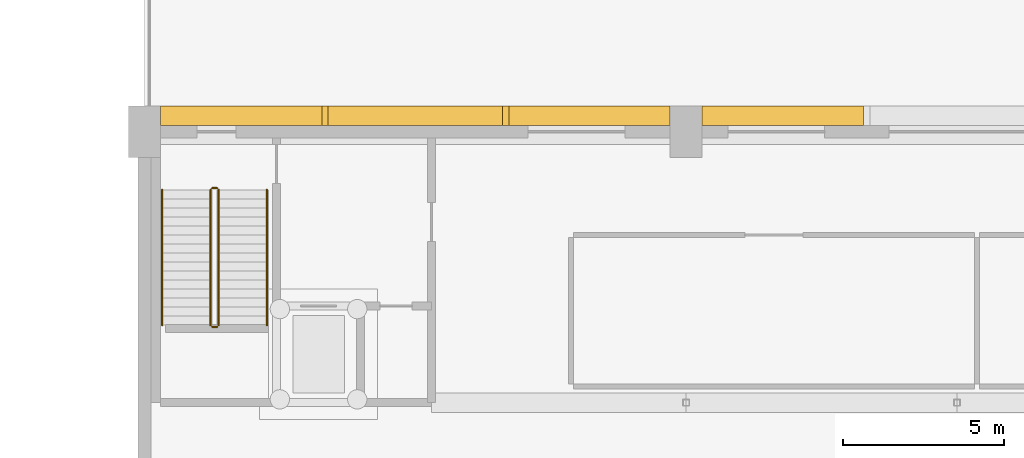
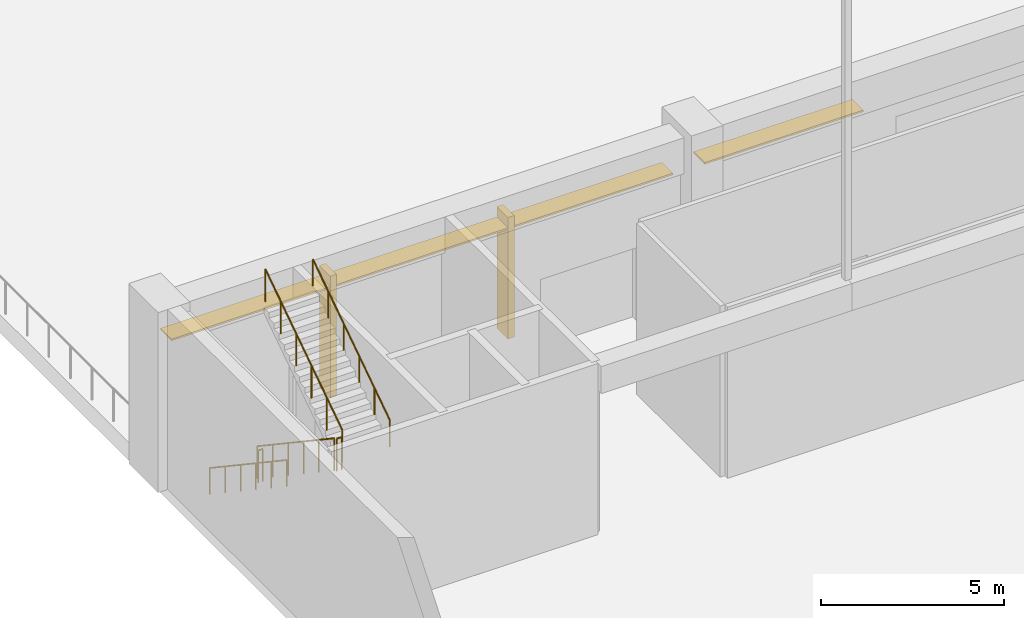
# One storey, part 198 of 210: 6 railings, 4 shading devices, 2 coverings.
"""IFC4 building model written with IfcOpenShell, lengths in metres."""

import ifcopenshell
import ifcopenshell.guid

model = None  # the IFC model being written
_history = None  # IfcOwnerHistory: only IFC2X3 demands one
_inside = {}  # id of a spatial element -> (the spatial element, [elements in it])
_under = {}  # id of a project, library or spatial element -> (it, [spatial elements below it])
_declared = {}  # id of a project -> (the project, [libraries it declares])
_typed = {}  # id of a type object -> (the type object, [elements of that type])
_made_of = {}  # id of a material, layer set ... -> (it, [elements and type objects made of it])


def new_model(schema):
    """Start an empty IFC model of exactly this schema.

    Asked for "IFC4X3", IfcOpenShell would pick the latest addendum, in which some entities
    have other attributes; the version numbers below select the first issue.
    IFC2X3 requires an IfcOwnerHistory on every rooted entity: one is made here for all.
    """
    global model, _history
    if schema == "IFC4X3":
        model = ifcopenshell.file(schema_version=(4, 3, 0, 0))
    else:
        model = ifcopenshell.file(schema=schema)
    _inside.clear()
    _under.clear()
    _declared.clear()
    _typed.clear()
    _made_of.clear()
    _history = None
    if model.schema == "IFC2X3":
        org = make("IfcOrganization", Name="unknown")
        user = make(
            "IfcPersonAndOrganization",
            ThePerson=make("IfcPerson", FamilyName="unknown"),
            TheOrganization=org,
        )
        app = make(
            "IfcApplication",
            ApplicationDeveloper=org,
            Version="unknown",
            ApplicationFullName="unknown",
            ApplicationIdentifier="unknown",
        )
        _history = make(
            "IfcOwnerHistory",
            OwningUser=user,
            OwningApplication=app,
            ChangeAction="ADDED",
            CreationDate=0,
        )
    return model


def make(cls, **values):
    """One entity of the class cls with the attributes given. An attribute that is None is left unset."""
    return model.create_entity(
        cls, **{name: value for name, value in values.items() if value is not None}
    )


def rooted(cls, **values):
    """An entity with a GlobalId (a new one), such as an element, a storey or a relation."""
    return make(cls, GlobalId=ifcopenshell.guid.new(), OwnerHistory=_history, **values)


def si_unit(unit_type, name, prefix=None):
    """IfcSIUnit, for example si_unit("LENGTHUNIT", "METRE", prefix="MILLI")."""
    return make("IfcSIUnit", UnitType=unit_type, Prefix=prefix, Name=name)


def assignment(units):
    """IfcUnitAssignment: the units of a project."""
    return None if units is None else make("IfcUnitAssignment", Units=units)


def point(xyz):
    """IfcCartesianPoint."""
    return None if xyz is None else make("IfcCartesianPoint", Coordinates=xyz)


def direction(xyz):
    """IfcDirection."""
    return None if xyz is None else make("IfcDirection", DirectionRatios=xyz)


def frame(location, z_axis=None, x_axis=None):
    """IfcAxis2Placement3D, a coordinate frame: its origin and axes. An axis left out is left unset."""
    return make(
        "IfcAxis2Placement3D",
        Location=point(location),
        Axis=direction(z_axis),
        RefDirection=direction(x_axis),
    )


def frame_2d(location, x_axis=None):
    """IfcAxis2Placement2D, a coordinate frame in the plane: its origin and x axis."""
    return make(
        "IfcAxis2Placement2D", Location=point(location), RefDirection=direction(x_axis)
    )


def origin():
    """The frame at (0, 0, 0) with its axes left unset."""
    return frame((0.0, 0.0, 0.0))


def origin_2d():
    """The frame at (0, 0) in the plane with its x axis left unset."""
    return frame_2d((0.0, 0.0))


def place(relative_to, where):
    """IfcLocalPlacement: puts the frame where relative to a parent placement (None: the world)."""
    return make(
        "IfcLocalPlacement", PlacementRelTo=relative_to, RelativePlacement=where
    )


def context(
    kind, dimensions, precision=None, world=None, true_north=None, identifier=None
):
    """IfcGeometricRepresentationContext, for example the 3D "Model" context."""
    return make(
        "IfcGeometricRepresentationContext",
        ContextIdentifier=identifier,
        ContextType=kind,
        CoordinateSpaceDimension=dimensions,
        Precision=precision,
        WorldCoordinateSystem=world,
        TrueNorth=true_north,
    )


def subcontext(parent, identifier, kind, view, scale=None):
    """IfcGeometricRepresentationSubContext, for example "Body" below "Model"."""
    return make(
        "IfcGeometricRepresentationSubContext",
        ContextIdentifier=identifier,
        ContextType=kind,
        ParentContext=parent,
        TargetScale=scale,
        TargetView=view,
    )


def project(units=None, contexts=None):
    """IfcProject with its units and contexts."""
    return rooted(
        "IfcProject",
        Name="project",
        RepresentationContexts=contexts,
        UnitsInContext=assignment(units),
    )


def spatial(cls, under=None, at=None, **own):
    """A site, building, storey or space (cls), placed at a placement, below another one or the project."""
    s = rooted(cls, ObjectPlacement=at, **own)
    if under is not None:
        _under.setdefault(under.id(), (under, []))[1].append(s)
    return s


def profile(cls, at=None, kind="AREA", **sizes):
    """A parametric profile (cls). Its sizes go by their IFC names, for example OverallWidth=200.0."""
    return make(cls, ProfileType=kind, Position=at, **sizes)


def rectangle(**sizes):
    """IfcRectangleProfileDef."""
    return profile("IfcRectangleProfileDef", **sizes)


def circle(**sizes):
    """IfcCircleProfileDef."""
    return profile("IfcCircleProfileDef", **sizes)


def extrude(swept, where, along, depth):
    """IfcExtrudedAreaSolid: the profile swept, set in the frame where, extruded along a direction by depth."""
    return make(
        "IfcExtrudedAreaSolid",
        SweptArea=swept,
        Position=where,
        ExtrudedDirection=direction(along),
        Depth=depth,
    )


def shape(context_of_items, identifier, shape_type, items):
    """IfcShapeRepresentation: the items that make up one representation, for example the "Body"."""
    return make(
        "IfcShapeRepresentation",
        ContextOfItems=context_of_items,
        RepresentationIdentifier=identifier,
        RepresentationType=shape_type,
        Items=items,
    )


def material(Name=None, Category=None):
    """IfcMaterial."""
    return make("IfcMaterial", Name=Name, Category=Category)


def layer(
    of_material, thickness, ventilated=None, Name=None, Category=None, Priority=None
):
    """IfcMaterialLayer: one layer of a wall or slab, of a material (None: an air gap)."""
    return make(
        "IfcMaterialLayer",
        Material=of_material,
        LayerThickness=thickness,
        IsVentilated=ventilated,
        Name=Name,
        Category=Category,
        Priority=Priority,
    )


def layer_set(layers, Name=None):
    """IfcMaterialLayerSet."""
    return make("IfcMaterialLayerSet", MaterialLayers=layers, LayerSetName=Name)


def made_of(thing, what):
    """Note that an element or type object is made of a material, layer set ...; save() writes the relation."""
    if what is not None:
        _made_of.setdefault(what.id(), (what, []))[1].append(thing)
    return thing


def type_object(cls, material=None, **own):
    """A type object (cls), such as IfcWallType, which elements share."""
    return made_of(rooted(cls, **own), material)


def element(
    cls,
    number,
    at=None,
    inside=None,
    cuts=None,
    type_object=None,
    material=None,
    context=None,
    identifier="Body",
    shape_type=None,
    held_by="IfcProductDefinitionShape",
    body=None,
    shapes=None,
    **own,
):
    """One element of the class cls, such as IfcWall. Its Tag is "e" and its number.

    at: its placement. inside: the storey or other place that contains it. cuts: it is an
    opening in that element (IfcRelVoidsElement). A single representation is given by context,
    identifier, shape_type and body (its items); several are given by shapes. held_by: the class
    of the entity that holds the representations. save() writes the other relations.
    """
    e = rooted(cls, Tag="e%d" % number, ObjectPlacement=at, **own)
    if body is not None:
        shapes = [shape(context, identifier, shape_type, body)]
    if shapes is not None:
        e.Representation = make(held_by, Representations=shapes)
    if inside is not None:
        _inside.setdefault(inside.id(), (inside, []))[1].append(e)
    if cuts is not None:
        rooted(
            "IfcRelVoidsElement", RelatingBuildingElement=cuts, RelatedOpeningElement=e
        )
    if type_object is not None:
        _typed.setdefault(type_object.id(), (type_object, []))[1].append(e)
    return made_of(e, material)


def aggregate(whole, parts):
    """IfcRelAggregates: a whole, such as a stair, and the parts it consists of."""
    return rooted("IfcRelAggregates", RelatingObject=whole, RelatedObjects=parts)


def save(model, path):
    """Write the relations noted so far, then the file.

    IfcRelAggregates (storeys below a building ...), IfcRelContainedInSpatialStructure (elements
    in a storey), IfcRelDefinesByType, IfcRelAssociatesMaterial and IfcRelDeclares: one each for
    every whole, place, type object, material and project.
    """
    for whole, parts in _under.values():
        aggregate(whole, parts)
    for where, things in _inside.values():
        rooted(
            "IfcRelContainedInSpatialStructure",
            RelatedElements=things,
            RelatingStructure=where,
        )
    for kind, things in _typed.values():
        rooted("IfcRelDefinesByType", RelatedObjects=things, RelatingType=kind)
    for what, things in _made_of.values():
        rooted("IfcRelAssociatesMaterial", RelatedObjects=things, RelatingMaterial=what)
    for by, libraries in _declared.values():
        rooted("IfcRelDeclares", RelatingContext=by, RelatedDefinitions=libraries)
    model.write(path)


model = new_model("IFC4")

# Units and contexts
model_context = context("Model", 3, precision=1e-05, world=origin(), true_north=direction((0.0, 1.0)))
body_context = subcontext(model_context, "Body", "Model", "MODEL_VIEW")
ifc_project = project(units=[si_unit("LENGTHUNIT", "METRE"), si_unit("AREAUNIT", "SQUARE_METRE"), si_unit("VOLUMEUNIT", "CUBIC_METRE"), si_unit("PLANEANGLEUNIT", "RADIAN"), si_unit("MASSUNIT", "GRAM", prefix="KILO")], contexts=[model_context])

# Site, building, storey
site_placement = place(None, origin())
site = spatial("IfcSite", under=ifc_project, at=site_placement, CompositionType="ELEMENT")
building_placement = place(site_placement, origin())
building = spatial("IfcBuilding", under=site, at=building_placement, Name="Rain Tree Exposition and Congress Centre", CompositionType="ELEMENT")
storey_placement = place(building_placement, origin())
storey = spatial("IfcBuildingStorey", under=building, at=storey_placement, Name="L00", CompositionType="ELEMENT", Elevation=0.0)

# Coverings
ifc_material_1 = material(Name="Precast concrete C50/60", Category="concrete")
ifc_layer_1 = layer(ifc_material_1, 0.199951171875)
ifc_layer_set_1 = layer_set([ifc_layer_1], Name="Precast concrete C50/60")
covering_type = type_object("IfcCoveringType", Name="North face fin 200x600", PredefinedType="CLADDING", material=ifc_layer_set_1)
for number, where, z_axis, x_axis, name in (
    (1, (14.0, 202.10009765625, 0.4501953125), (0.0, 0.0, 1.0), (1.0, 0.0, 0.0), "Facade fin N1.1"),
    (2, (19.60009765625, 202.10009765625, 0.4501953125), (0.0, 0.0, 1.0), (1.0, 0.0, 0.0), "Facade fin N1.2"),
):
    element("IfcCovering", number, at=place(storey_placement, frame(where, z_axis=z_axis, x_axis=x_axis)), inside=storey, type_object=covering_type, Name=name, PredefinedType="CLADDING", context=body_context, shape_type="SweptSolid", body=[
        extrude(rectangle(XDim=0.199951171875, YDim=0.60009765625, at=origin_2d()), origin(), (0.0, 0.0, 1.0), 4.050048828125),
    ])

# Railings
ifc_material_2 = material(Name="Steel S355J2H", Category="steel")
railing_type_1 = type_object("IfcRailingType", Name="Stair guard 1100", PredefinedType="GUARDRAIL", material=ifc_material_2)
railing_1_placement = place(storey_placement, frame((10.449951171875, 199.800048828125, 0.1875)))
element("IfcRailing", 3, at=railing_1_placement, inside=storey, type_object=railing_type_1, Name="L00 ST-H3 stair guard 1", PredefinedType="GUARDRAIL", context=body_context, shape_type="SweptSolid", body=[
    extrude(circle(Radius=0.02392578125, at=origin_2d()), frame((0.0, 0.0, 1.076171875), z_axis=(0.0, -0.830904186295, 0.556415522067), x_axis=(1.0, 0.0, 0.0)), (0.0, 0.0, 1.0), 5.0546875),
    extrude(circle(Radius=0.02099609375, at=origin_2d()), origin(), (0.0, 0.0, 1.0), 1.052001953125),
    extrude(circle(Radius=0.02099609375, at=origin_2d()), frame((0.0, -0.840087890625, 0.5625)), (0.0, 0.0, 1.0), 1.052001953125),
    extrude(circle(Radius=0.02099609375, at=origin_2d()), frame((0.0, -1.679931640625, 1.125)), (0.0, 0.0, 1.0), 1.052001953125),
    extrude(circle(Radius=0.02099609375, at=origin_2d()), frame((0.0, -2.52001953125, 1.6875)), (0.0, 0.0, 1.0), 1.052001953125),
    extrude(circle(Radius=0.02099609375, at=origin_2d()), frame((0.0, -3.35986328125, 2.25)), (0.0, 0.0, 1.0), 1.052001953125),
    extrude(circle(Radius=0.02099609375, at=origin_2d()), frame((0.0, -4.199951171875, 2.8125)), (0.0, 0.0, 1.0), 1.052001953125),
])
railing_2_placement = place(storey_placement, frame((10.5, 195.550048828125, 3.0)))
element("IfcRailing", 4, at=railing_2_placement, inside=storey, type_object=railing_type_1, Name="L00 ST-H3 stair guard 2", PredefinedType="GUARDRAIL", context=body_context, shape_type="SweptSolid", body=[
    extrude(circle(Radius=0.02392578125, at=origin_2d()), frame((0.0, 0.0, 1.076171875), z_axis=(1.0, 0.0, 0.0), x_axis=(0.0, 1.0, 0.0)), (0.0, 0.0, 1.0), 0.14990234375),
    extrude(circle(Radius=0.02099609375, at=origin_2d()), origin(), (0.0, 0.0, 1.0), 1.052001953125),
    extrude(circle(Radius=0.02099609375, at=origin_2d()), frame((0.14990234375, 0.0, 0.0)), (0.0, 0.0, 1.0), 1.052001953125),
])
railing_3_placement = place(storey_placement, frame((10.699951171875, 195.60009765625, 3.1875)))
element("IfcRailing", 5, at=railing_3_placement, inside=storey, type_object=railing_type_1, Name="L00 ST-H3 stair guard 3", PredefinedType="GUARDRAIL", context=body_context, shape_type="SweptSolid", body=[
    extrude(circle(Radius=0.02392578125, at=origin_2d()), frame((0.0, 0.0, 1.076171875), z_axis=(0.0, 0.830904186295, 0.556415522067), x_axis=(-1.0, 0.0, 0.0)), (0.0, 0.0, 1.0), 5.0546875),
    extrude(circle(Radius=0.02099609375, at=origin_2d()), origin(), (0.0, 0.0, 1.0), 1.052001953125),
    extrude(circle(Radius=0.02099609375, at=origin_2d()), frame((0.0, 0.840087890625, 0.5625)), (0.0, 0.0, 1.0), 1.052001953125),
    extrude(circle(Radius=0.02099609375, at=origin_2d()), frame((0.0, 1.679931640625, 1.125)), (0.0, 0.0, 1.0), 1.052001953125),
    extrude(circle(Radius=0.02099609375, at=origin_2d()), frame((0.0, 2.52001953125, 1.6875)), (0.0, 0.0, 1.0), 1.052001953125),
    extrude(circle(Radius=0.02099609375, at=origin_2d()), frame((0.0, 3.35986328125, 2.25)), (0.0, 0.0, 1.0), 1.052001953125),
    extrude(circle(Radius=0.02099609375, at=origin_2d()), frame((0.0, 4.199951171875, 2.8125)), (0.0, 0.0, 1.0), 1.052001953125),
])
railing_4_placement = place(storey_placement, frame((10.5, 199.85009765625, 0.0)))
element("IfcRailing", 6, at=railing_4_placement, inside=storey, type_object=railing_type_1, Name="L00 ST-H3 stair guard 4", PredefinedType="GUARDRAIL", context=body_context, shape_type="SweptSolid", body=[
    extrude(circle(Radius=0.02392578125, at=origin_2d()), frame((0.0, 0.0, 1.076171875), z_axis=(1.0, 0.0, 0.0), x_axis=(0.0, 1.0, 0.0)), (0.0, 0.0, 1.0), 0.14990234375),
    extrude(circle(Radius=0.02099609375, at=origin_2d()), origin(), (0.0, 0.0, 1.0), 1.052001953125),
    extrude(circle(Radius=0.02099609375, at=origin_2d()), frame((0.14990234375, 0.0, 0.0)), (0.0, 0.0, 1.0), 1.052001953125),
])
ifc_material_3 = material(Name="Steel S355J2H", Category="steel")
railing_type_2 = type_object("IfcRailingType", Name="Stair handrail 900", PredefinedType="HANDRAIL", material=ifc_material_3)
railing_5_placement = place(storey_placement, frame((8.949951171875, 199.800048828125, 0.1875)))
element("IfcRailing", 7, at=railing_5_placement, inside=storey, type_object=railing_type_2, Name="L00 ST-H3 stair handrail 1", PredefinedType="HANDRAIL", context=body_context, shape_type="SweptSolid", body=[
    extrude(circle(Radius=0.02392578125, at=origin_2d()), frame((0.0, 0.0, 0.8759765625), z_axis=(0.0, -0.830904186295, 0.556415522067), x_axis=(1.0, 0.0, 0.0)), (0.0, 0.0, 1.0), 5.0546875),
    extrude(circle(Radius=0.02099609375, at=origin_2d()), origin(), (0.0, 0.0, 1.0), 0.851806640625),
    extrude(circle(Radius=0.02099609375, at=origin_2d()), frame((0.0, -0.840087890625, 0.5625)), (0.0, 0.0, 1.0), 0.851806640625),
    extrude(circle(Radius=0.02099609375, at=origin_2d()), frame((0.0, -1.679931640625, 1.125)), (0.0, 0.0, 1.0), 0.851806640625),
    extrude(circle(Radius=0.02099609375, at=origin_2d()), frame((0.0, -2.52001953125, 1.6875)), (0.0, 0.0, 1.0), 0.851806640625),
    extrude(circle(Radius=0.02099609375, at=origin_2d()), frame((0.0, -3.35986328125, 2.25)), (0.0, 0.0, 1.0), 0.851806640625),
    extrude(circle(Radius=0.02099609375, at=origin_2d()), frame((0.0, -4.199951171875, 2.8125)), (0.0, 0.0, 1.0), 0.851806640625),
])
railing_6_placement = place(storey_placement, frame((12.199951171875, 195.60009765625, 3.1875)))
element("IfcRailing", 8, at=railing_6_placement, inside=storey, type_object=railing_type_2, Name="L00 ST-H3 stair handrail 2", PredefinedType="HANDRAIL", context=body_context, shape_type="SweptSolid", body=[
    extrude(circle(Radius=0.02392578125, at=origin_2d()), frame((0.0, 0.0, 0.8759765625), z_axis=(0.0, 0.830904186295, 0.556415522067), x_axis=(-1.0, 0.0, 0.0)), (0.0, 0.0, 1.0), 5.0546875),
    extrude(circle(Radius=0.02099609375, at=origin_2d()), origin(), (0.0, 0.0, 1.0), 0.851806640625),
    extrude(circle(Radius=0.02099609375, at=origin_2d()), frame((0.0, 0.840087890625, 0.5625)), (0.0, 0.0, 1.0), 0.851806640625),
    extrude(circle(Radius=0.02099609375, at=origin_2d()), frame((0.0, 1.679931640625, 1.125)), (0.0, 0.0, 1.0), 0.851806640625),
    extrude(circle(Radius=0.02099609375, at=origin_2d()), frame((0.0, 2.52001953125, 1.6875)), (0.0, 0.0, 1.0), 0.851806640625),
    extrude(circle(Radius=0.02099609375, at=origin_2d()), frame((0.0, 3.35986328125, 2.25)), (0.0, 0.0, 1.0), 0.851806640625),
    extrude(circle(Radius=0.02099609375, at=origin_2d()), frame((0.0, 4.199951171875, 2.8125)), (0.0, 0.0, 1.0), 0.851806640625),
])

# Shading devices
ifc_material_4 = material(Name="Aluminium", Category="aluminium")
ifc_layer_2 = layer(ifc_material_4, 0.06005859375)
ifc_layer_set_2 = layer_set([ifc_layer_2], Name="Aluminium")
shading_device_type = type_object("IfcShadingDeviceType", Name="Sun blade 60x600", PredefinedType="JALOUSIE", material=ifc_layer_set_2)
shading_device_1_placement = place(storey_placement, frame((11.39990234375, 202.10009765625, 4.099853515625), z_axis=(0.0, 0.0, 1.0), x_axis=(1.0, 0.0, 0.0)))
element("IfcShadingDevice", 9, at=shading_device_1_placement, inside=storey, type_object=shading_device_type, Name="Sun blade N1.1.1", PredefinedType="JALOUSIE", context=body_context, shape_type="SweptSolid", body=[
    extrude(rectangle(XDim=5.0, YDim=0.60009765625, at=origin_2d()), origin(), (0.0, 0.0, 1.0), 0.06005859375),
])
shading_device_2_placement = place(storey_placement, frame((16.800048828125, 202.10009765625, 4.099853515625), z_axis=(0.0, 0.0, 1.0), x_axis=(1.0, 0.0, 0.0)))
element("IfcShadingDevice", 10, at=shading_device_2_placement, inside=storey, type_object=shading_device_type, Name="Sun blade N1.2.1", PredefinedType="JALOUSIE", context=body_context, shape_type="SweptSolid", body=[
    extrude(rectangle(XDim=5.39990234375, YDim=0.60009765625, at=origin_2d()), origin(), (0.0, 0.0, 1.0), 0.06005859375),
])
for number, where, z_axis, x_axis, name in (
    (11, (22.199951171875, 202.10009765625, 4.099853515625), (0.0, 0.0, 1.0), (1.0, 0.0, 0.0), "Sun blade N1.3.1"),
    (12, (28.199951171875, 202.10009765625, 4.099853515625), (0.0, 0.0, 1.0), (1.0, 0.0, 0.0), "Sun blade N2.1.1"),
):
    element("IfcShadingDevice", number, at=place(storey_placement, frame(where, z_axis=z_axis, x_axis=x_axis)), inside=storey, type_object=shading_device_type, Name=name, PredefinedType="JALOUSIE", context=body_context, shape_type="SweptSolid", body=[
        extrude(rectangle(XDim=5.0, YDim=0.60009765625, at=origin_2d()), origin(), (0.0, 0.0, 1.0), 0.06005859375),
    ])

save(model, "model.ifc")
